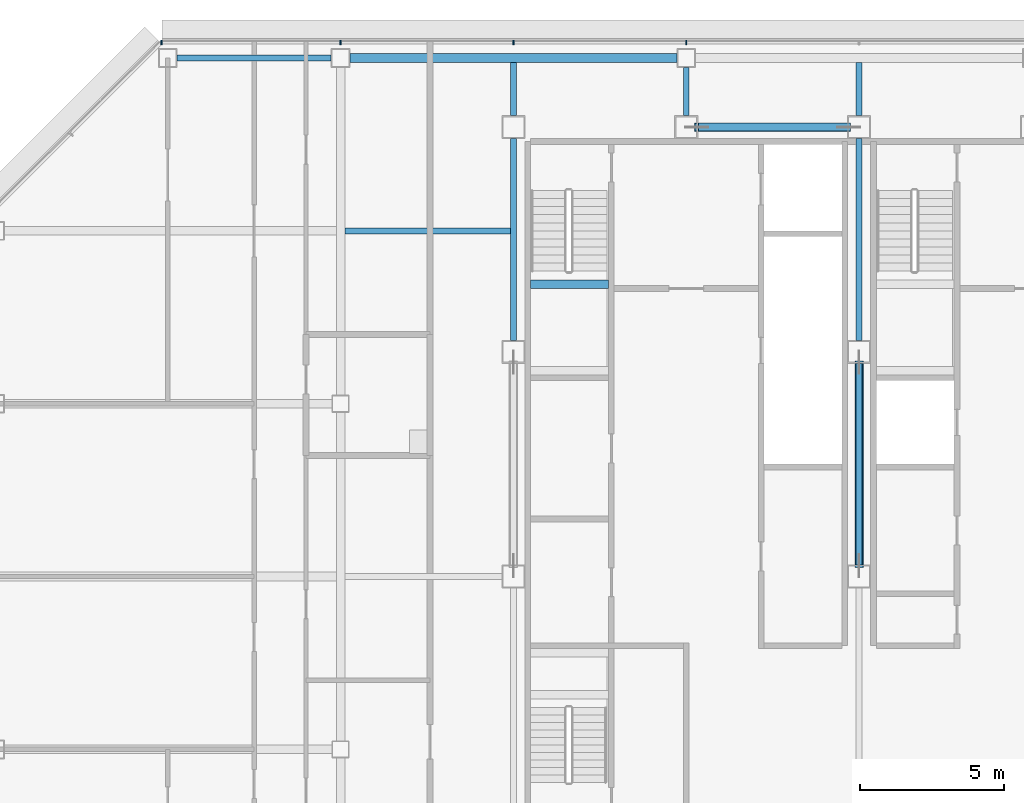
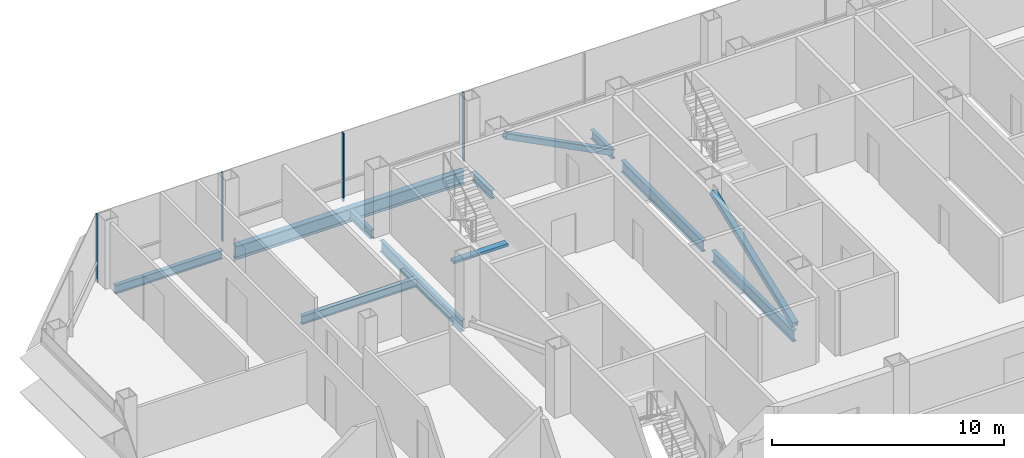
# One storey, part 12 of 26: 10 beams, 6 members, 1 element without a shape of its own.
"""IFC4 building model written with IfcOpenShell, lengths in metres."""

from ifc_helpers import new_model, si_unit, direction, frame, origin, origin_2d, place, context, subcontext, project, spatial, rectangle, hollow_rectangle, i_section, extrude, material, material_profile, profile_set, type_object, element, aggregate, save


model = new_model("IFC4")

# Units and contexts
model_context = context("Model", 3, precision=1e-05, world=origin(), true_north=direction((0.0, 1.0)))
body_context = subcontext(model_context, "Body", "Model", "MODEL_VIEW")
ifc_project = project(units=[si_unit("LENGTHUNIT", "METRE"), si_unit("AREAUNIT", "SQUARE_METRE"), si_unit("VOLUMEUNIT", "CUBIC_METRE"), si_unit("PLANEANGLEUNIT", "RADIAN"), si_unit("MASSUNIT", "GRAM", prefix="KILO")], contexts=[model_context])

# Site, building, storey
site_placement = place(None, origin())
site = spatial("IfcSite", under=ifc_project, at=site_placement, CompositionType="ELEMENT")
building_placement = place(site_placement, origin())
building = spatial("IfcBuilding", under=site, at=building_placement, Name="Sorahane Residences", CompositionType="ELEMENT")
storey_placement = place(building_placement, frame((0.0, 0.0, 219.0)))
storey = spatial("IfcBuildingStorey", under=building, at=storey_placement, Name="L51", CompositionType="ELEMENT", Elevation=219.0)

# Members
ifc_material_1 = material(Name="Steel Q355B", Category="steel")
ifc_material_profile_1 = material_profile(ifc_material_1, hollow_rectangle(XDim=0.300048828125, YDim=0.300048828125, WallThickness=0.01611328125, InnerFilletRadius=0.008056640625, OuterFilletRadius=0.02392578125, at=origin_2d()), Name="RHS 300x300x16")
ifc_profile_set_1 = profile_set([ifc_material_profile_1], Name="Steel Q355B")
member_type_1 = type_object("IfcMemberType", Name="Core brace RHS 300x300x16 Q355B", PredefinedType="BRACE", material=ifc_profile_set_1)
member_1_placement = place(storey_placement, frame((17.64111328125, 45.60009765625, 0.12890625), z_axis=(-0.889590046837, 0.0, 0.45675983686), x_axis=(0.0, -1.0, 0.0)))
element("IfcMember", 1, at=member_1_placement, inside=storey, type_object=member_type_1, Name="Core brace L51 y45.6-2", PredefinedType="BRACE", context=body_context, shape_type="SweptSolid", body=[
    extrude(hollow_rectangle(XDim=0.300048828125, YDim=0.300048828125, WallThickness=0.01611328125, InnerFilletRadius=0.008056640625, OuterFilletRadius=0.02392578125, at=origin_2d()), origin(), (0.0, 0.0, 1.0), 5.937744140625),
])
member_2_placement = place(storey_placement, frame((18.0, 30.367919921875, 0.1376953125), z_axis=(0.0, 0.934335722983, 0.356394103147), x_axis=(-1.0, 0.0, 0.0)))
element("IfcMember", 2, at=member_2_placement, inside=storey, type_object=member_type_1, Name="Core brace L51 x18-1", PredefinedType="BRACE", context=body_context, shape_type="SweptSolid", body=[
    extrude(hollow_rectangle(XDim=0.300048828125, YDim=0.300048828125, WallThickness=0.01611328125, InnerFilletRadius=0.008056640625, OuterFilletRadius=0.02392578125, at=origin_2d()), origin(), (0.0, 0.0, 1.0), 7.560791015625),
])

# Curtain wall, members
ifc_material_2 = material(Name="Dark low-e glass and black anodised aluminium", Category="aluminium")
curtain_wall_type = type_object("IfcCurtainWallType", Name="Curtain wall CW-1 Typical unitised wall", PredefinedType="NOTDEFINED", material=ifc_material_2)
curtain_wall_placement = place(storey_placement, origin())
curtain_wall = element("IfcCurtainWall", 3, at=curtain_wall_placement, inside=storey, type_object=curtain_wall_type, Name="CW-1 curtain wall L51 N1", PredefinedType="NOTDEFINED")
ifc_material_3 = material(Name="Black anodised aluminium", Category="aluminium")
ifc_material_profile_2 = material_profile(ifc_material_3, rectangle(XDim=0.159912109375, YDim=0.050048828125, at=origin_2d()), Name="Curtain wall mullion CW-1 black anodised aluminium 50x160")
ifc_profile_set_2 = profile_set([ifc_material_profile_2], Name="Black anodised aluminium")
member_type_2 = type_object("IfcMemberType", Name="Curtain wall mullion CW-1 black anodised aluminium 50x160", PredefinedType="MULLION", material=ifc_profile_set_2)
member_3_placement = place(storey_placement, frame((12.0, 48.5400390625, -0.179931640625), z_axis=(0.0, 0.0, 1.0), x_axis=(0.0, 1.0, 0.0)))
member_3 = element("IfcMember", 4, at=member_3_placement, type_object=member_type_2, Name="CW-1 mullion L51 N1.7", PredefinedType="MULLION", context=body_context, shape_type="SweptSolid", body=[
    extrude(rectangle(XDim=0.159912109375, YDim=0.050048828125, at=origin_2d()), origin(), (0.0, 0.0, 1.0), 3.599853515625),
])
member_4_placement = place(storey_placement, frame((6.0, 48.5400390625, -0.179931640625), z_axis=(0.0, 0.0, 1.0), x_axis=(0.0, 1.0, 0.0)))
member_4 = element("IfcMember", 5, at=member_4_placement, type_object=member_type_2, Name="CW-1 mullion L51 N1.8", PredefinedType="MULLION", context=body_context, shape_type="SweptSolid", body=[
    extrude(rectangle(XDim=0.159912109375, YDim=0.050048828125, at=origin_2d()), origin(), (0.0, 0.0, 1.0), 3.599853515625),
])
member_5_placement = place(storey_placement, frame((0.0, 48.5400390625, -0.179931640625), z_axis=(0.0, 0.0, 1.0), x_axis=(0.0, 1.0, 0.0)))
member_5 = element("IfcMember", 6, at=member_5_placement, type_object=member_type_2, Name="CW-1 mullion L51 N1.9", PredefinedType="MULLION", context=body_context, shape_type="SweptSolid", body=[
    extrude(rectangle(XDim=0.159912109375, YDim=0.050048828125, at=origin_2d()), origin(), (0.0, 0.0, 1.0), 3.599853515625),
])
member_6_placement = place(storey_placement, frame((-6.2236328125, 48.5400390625, -0.179931640625), z_axis=(0.0, 0.0, 1.0), x_axis=(0.0, 1.0, 0.0)))
member_6 = element("IfcMember", 7, at=member_6_placement, type_object=member_type_2, Name="CW-1 mullion L51 N1.10", PredefinedType="MULLION", context=body_context, shape_type="SweptSolid", body=[
    extrude(rectangle(XDim=0.159912109375, YDim=0.050048828125, at=origin_2d()), origin(), (0.0, 0.0, 1.0), 3.599853515625),
])
aggregate(curtain_wall, [member_3, member_4, member_5, member_6])

# Beams
ifc_material_4 = material(Name="Concrete C40", Category="concrete")
ifc_material_profile_3 = material_profile(ifc_material_4, rectangle(XDim=0.300048828125, YDim=0.139892578125, at=origin_2d()), Name="300x140")
ifc_profile_set_3 = profile_set([ifc_material_profile_3], Name="Concrete C40")
beam_type_1 = type_object("IfcBeamType", Name="RC landing beam 300 x 140 Concrete C40", PredefinedType="BEAM", material=ifc_profile_set_3)
beam_1_placement = place(storey_placement, frame((6.60009765625, 40.14990234375, 1.530029296875), z_axis=(1.0, 0.0, 0.0), x_axis=(0.0, 1.0, 0.0)))
element("IfcBeam", 8, at=beam_1_placement, inside=storey, type_object=beam_type_1, Name="Landing beam", PredefinedType="BEAM", context=body_context, shape_type="SweptSolid", body=[
    extrude(rectangle(XDim=0.300048828125, YDim=0.139892578125, at=origin_2d()), origin(), (0.0, 0.0, 1.0), 2.699951171875),
])
ifc_material_5 = material(Name="Steel Q355B", Category="steel")
ifc_material_profile_4 = material_profile(ifc_material_5, i_section(OverallWidth=0.199951171875, OverallDepth=0.449951171875, WebThickness=0.009033203125, FlangeThickness=0.013916015625, FilletRadius=0.02001953125, at=origin_2d()), Name="HN 450x200x9x14")
ifc_profile_set_4 = profile_set([ifc_material_profile_4], Name="Steel Q355B")
beam_type_2 = type_object("IfcBeamType", Name="Steel floor beam HN 450x200x9x14 Q355B", PredefinedType="BEAM", material=ifc_profile_set_4)
beam_2_placement = place(storey_placement, frame((-5.675048828125, 48.0, -0.405029296875), z_axis=(1.0, 0.0, 0.0), x_axis=(0.0, 1.0, 0.0)))
element("IfcBeam", 9, at=beam_2_placement, inside=storey, type_object=beam_type_2, Name="Beam L51 015", PredefinedType="BEAM", context=body_context, shape_type="SweptSolid", body=[
    extrude(i_section(OverallWidth=0.199951171875, OverallDepth=0.449951171875, WebThickness=0.009033203125, FlangeThickness=0.013916015625, FilletRadius=0.02001953125, at=origin_2d()), origin(), (0.0, 0.0, 1.0), 5.35009765625),
])
beam_3_placement = place(storey_placement, frame((6.0, 46.0, -0.405029296875), z_axis=(0.0, 1.0, 0.0), x_axis=(-1.0, 0.0, 0.0)))
element("IfcBeam", 10, at=beam_3_placement, inside=storey, type_object=beam_type_2, Name="Beam L51 033", PredefinedType="BEAM", context=body_context, shape_type="SweptSolid", body=[
    extrude(i_section(OverallWidth=0.199951171875, OverallDepth=0.449951171875, WebThickness=0.009033203125, FlangeThickness=0.013916015625, FilletRadius=0.02001953125, at=origin_2d()), origin(), (0.0, 0.0, 1.0), 1.85009765625),
])
beam_4_placement = place(storey_placement, frame((12.0, 46.0, -0.405029296875), z_axis=(0.0, 1.0, 0.0), x_axis=(-1.0, 0.0, 0.0)))
element("IfcBeam", 11, at=beam_4_placement, inside=storey, type_object=beam_type_2, Name="Beam L51 035", PredefinedType="BEAM", context=body_context, shape_type="SweptSolid", body=[
    extrude(i_section(OverallWidth=0.199951171875, OverallDepth=0.449951171875, WebThickness=0.009033203125, FlangeThickness=0.013916015625, FilletRadius=0.02001953125, at=origin_2d()), origin(), (0.0, 0.0, 1.0), 1.675048828125),
])
beam_5_placement = place(storey_placement, frame((18.0, 46.0, -0.405029296875), z_axis=(0.0, 1.0, 0.0), x_axis=(-1.0, 0.0, 0.0)))
element("IfcBeam", 12, at=beam_5_placement, inside=storey, type_object=beam_type_2, Name="Beam L51 041", PredefinedType="BEAM", context=body_context, shape_type="SweptSolid", body=[
    extrude(i_section(OverallWidth=0.199951171875, OverallDepth=0.449951171875, WebThickness=0.009033203125, FlangeThickness=0.013916015625, FilletRadius=0.02001953125, at=origin_2d()), origin(), (0.0, 0.0, 1.0), 1.85009765625),
])
beam_6_placement = place(storey_placement, frame((0.14990234375, 42.0, -0.405029296875), z_axis=(1.0, 0.0, 0.0), x_axis=(0.0, 1.0, 0.0)))
element("IfcBeam", 13, at=beam_6_placement, inside=storey, type_object=beam_type_2, Name="Beam L51 090", PredefinedType="BEAM", context=body_context, shape_type="SweptSolid", body=[
    extrude(i_section(OverallWidth=0.199951171875, OverallDepth=0.449951171875, WebThickness=0.009033203125, FlangeThickness=0.013916015625, FilletRadius=0.02001953125, at=origin_2d()), origin(), (0.0, 0.0, 1.0), 5.75),
])
ifc_material_6 = material(Name="Steel Q355B", Category="steel")
ifc_material_profile_5 = material_profile(ifc_material_6, i_section(OverallWidth=0.199951171875, OverallDepth=0.60009765625, WebThickness=0.010986328125, FlangeThickness=0.01708984375, FilletRadius=0.02392578125, at=origin_2d()), Name="HN 600x200x11x17")
ifc_profile_set_5 = profile_set([ifc_material_profile_5], Name="Steel Q355B")
beam_type_3 = type_object("IfcBeamType", Name="Steel floor beam HN 600x200x11x17 Q355B", PredefinedType="BEAM", material=ifc_profile_set_5)
for number, where, z_axis, x_axis, name in (
    (14, (6.0, 38.199951171875, -0.47998046875), (0.0, 1.0, 0.0), (-1.0, 0.0, 0.0), "Beam L51 032"),
    (15, (18.0, 30.39990234375, -0.47998046875), (0.0, 1.0, 0.0), (-1.0, 0.0, 0.0), "Beam L51 039"),
    (16, (18.0, 38.199951171875, -0.47998046875), (0.0, 1.0, 0.0), (-1.0, 0.0, 0.0), "Beam L51 040"),
):
    element("IfcBeam", number, at=place(storey_placement, frame(where, z_axis=z_axis, x_axis=x_axis)), inside=storey, type_object=beam_type_3, Name=name, PredefinedType="BEAM", context=body_context, shape_type="SweptSolid", body=[
        extrude(i_section(OverallWidth=0.199951171875, OverallDepth=0.60009765625, WebThickness=0.010986328125, FlangeThickness=0.01708984375, FilletRadius=0.02392578125, at=origin_2d()), origin(), (0.0, 0.0, 1.0), 7.0),
    ])
ifc_material_7 = material(Name="Steel Q355B", Category="steel")
ifc_material_profile_6 = material_profile(ifc_material_7, i_section(OverallWidth=0.300048828125, OverallDepth=0.699951171875, WebThickness=0.012939453125, FlangeThickness=0.02392578125, FilletRadius=0.028076171875, at=origin_2d()), Name="HN 700x300x13x24")
ifc_profile_set_6 = profile_set([ifc_material_profile_6], Name="Steel Q355B")
beam_type_4 = type_object("IfcBeamType", Name="Steel floor beam HN 700x300x13x24 Q355B", PredefinedType="BEAM", material=ifc_profile_set_6)
beam_7_placement = place(storey_placement, frame((0.324951171875, 48.0, -0.530029296875), z_axis=(1.0, 0.0, 0.0), x_axis=(0.0, 1.0, 0.0)))
element("IfcBeam", 17, at=beam_7_placement, inside=storey, type_object=beam_type_4, Name="Beam L51 016", PredefinedType="BEAM", context=body_context, shape_type="SweptSolid", body=[
    extrude(i_section(OverallWidth=0.300048828125, OverallDepth=0.699951171875, WebThickness=0.012939453125, FlangeThickness=0.02392578125, FilletRadius=0.028076171875, at=origin_2d()), origin(), (0.0, 0.0, 1.0), 11.35009765625),
])

save(model, "model.ifc")
